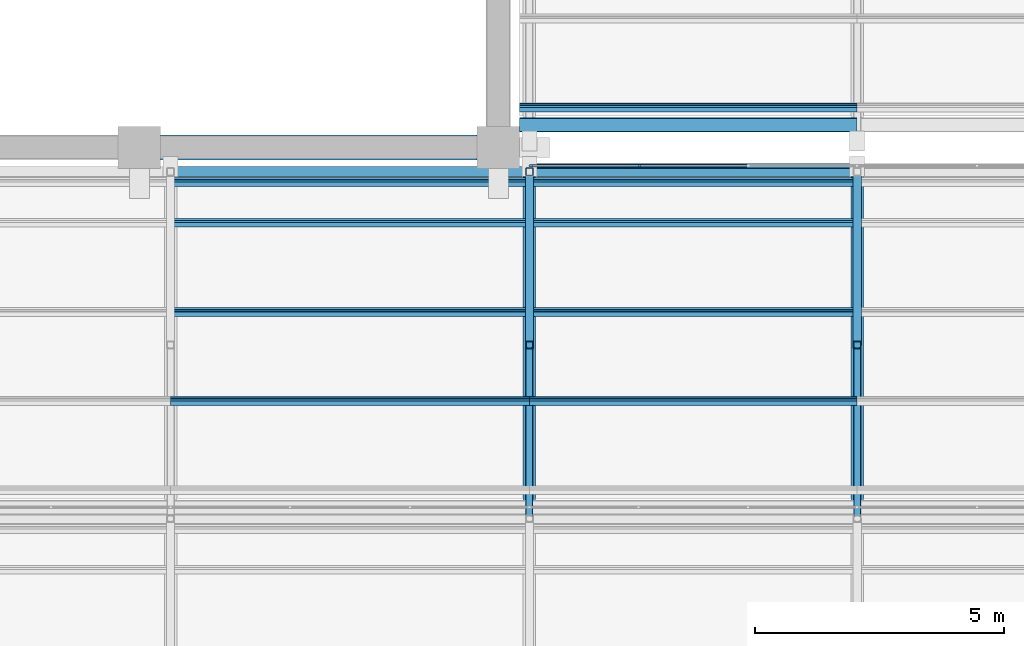
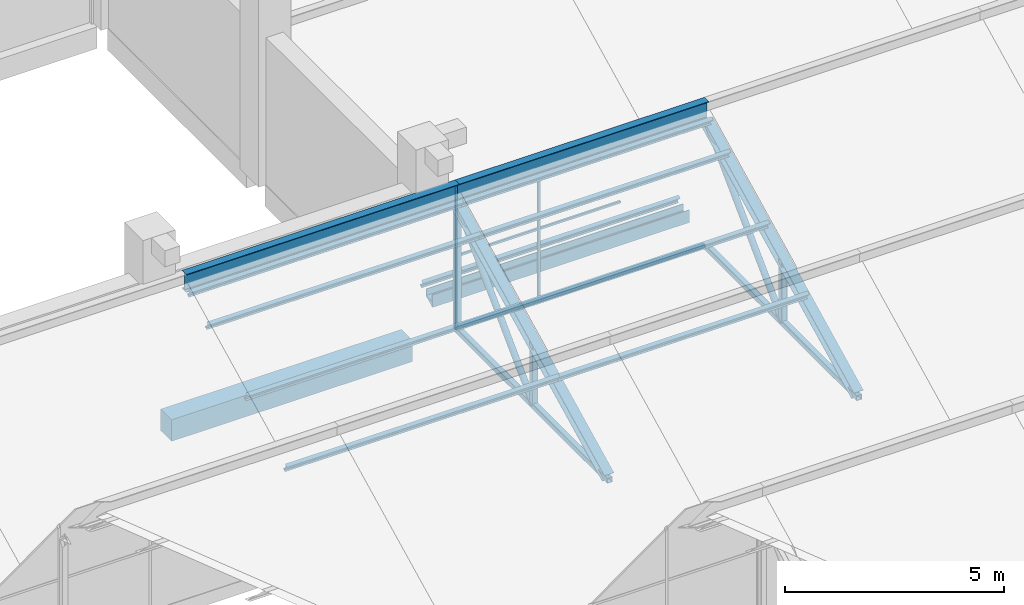
# One storey, part 16 of 83: 26 members, 1 beam, 1 element without a shape of its own.
"""IFC4 building model written with IfcOpenShell, lengths in metres."""

from ifc_helpers import new_model, si_unit, direction, frame, origin, origin_2d, place, context, subcontext, project, spatial, polyline, rectangle, hollow_rectangle, hollow_circle, i_section, outline, extrude, material, material_profile, profile_set, type_object, element, aggregate, save


model = new_model("IFC4")

# Units and contexts
model_context = context("Model", 3, precision=1e-05, world=origin(), true_north=direction((0.0, 1.0)))
body_context = subcontext(model_context, "Body", "Model", "MODEL_VIEW")
ifc_project = project(units=[si_unit("LENGTHUNIT", "METRE"), si_unit("AREAUNIT", "SQUARE_METRE"), si_unit("VOLUMEUNIT", "CUBIC_METRE"), si_unit("PLANEANGLEUNIT", "RADIAN"), si_unit("MASSUNIT", "GRAM", prefix="KILO")], contexts=[model_context])

# Site, building, storey
site_placement = place(None, origin())
site = spatial("IfcSite", under=ifc_project, at=site_placement, CompositionType="ELEMENT")
building_placement = place(site_placement, origin())
building = spatial("IfcBuilding", under=site, at=building_placement, Name="Silangan Lancet Faculty of Sciences", CompositionType="ELEMENT")
storey_placement = place(building_placement, frame((0.0, 0.0, 11.39990234375)))
storey = spatial("IfcBuildingStorey", under=building, at=storey_placement, Name="L02", CompositionType="ELEMENT", Elevation=11.39990234375)

# Beam
ifc_material_1 = material(Name="Concrete C40/50", Category="concrete")
ifc_material_profile_1 = material_profile(ifc_material_1, rectangle(XDim=0.5, YDim=0.60009765625, at=origin_2d()), Name="RC 500x600")
ifc_profile_set_1 = profile_set([ifc_material_profile_1], Name="Concrete C40/50")
beam_type = type_object("IfcBeamType", Name="BEAM RC 500x600", PredefinedType="BEAM", material=ifc_profile_set_1)
beam_placement = place(storey_placement, frame((43.625, 21.60009765625, -0.2998046875), z_axis=(1.0, 0.0, 0.0), x_axis=(0.0, 1.0, 0.0)))
element("IfcBeam", 1, at=beam_placement, inside=storey, type_object=beam_type, Name="BM-L02-7D-8D", PredefinedType="BEAM", context=body_context, shape_type="SweptSolid", body=[
    extrude(rectangle(XDim=0.5, YDim=0.60009765625, at=origin_2d()), origin(), (0.0, 0.0, 1.0), 6.35009765625),
])

# Members
ifc_material_2 = material(Name="Steel SS400", Category="steel")
ifc_material_profile_2 = material_profile(ifc_material_2, i_section(OverallWidth=0.199951171875, OverallDepth=0.5, WebThickness=0.010009765625, FlangeThickness=0.01611328125, FilletRadius=0.02001953125, at=origin_2d()), Name="H 500x200x10x16")
ifc_profile_set_2 = profile_set([ifc_material_profile_2], Name="Steel SS400")
member_type_1 = type_object("IfcMemberType", Name="Exposed ridge beam H 500x200x10x16", PredefinedType="MEMBER", material=ifc_profile_set_2)
member_1_placement = place(storey_placement, frame((43.824951171875, 21.114990234375, 3.9326171875), z_axis=(1.0, 0.0, 0.0), x_axis=(0.0, 1.0, 0.0)))
element("IfcMember", 2, at=member_1_placement, inside=storey, type_object=member_type_1, Name="Exposed ridge beam SAB-3-3", PredefinedType="MEMBER", context=body_context, shape_type="SweptSolid", body=[
    extrude(i_section(OverallWidth=0.199951171875, OverallDepth=0.5, WebThickness=0.010009765625, FlangeThickness=0.01611328125, FilletRadius=0.02001953125, at=origin_2d()), origin(), (0.0, 0.0, 1.0), 7.199951171875),
])
member_2_placement = place(storey_placement, frame((51.02490234375, 21.114990234375, 3.9326171875), z_axis=(1.0, 0.0, 0.0), x_axis=(0.0, 1.0, 0.0)))
element("IfcMember", 3, at=member_2_placement, inside=storey, type_object=member_type_1, Name="Exposed ridge beam SAB-3-4", PredefinedType="MEMBER", context=body_context, shape_type="SweptSolid", body=[
    extrude(i_section(OverallWidth=0.199951171875, OverallDepth=0.5, WebThickness=0.010009765625, FlangeThickness=0.01611328125, FilletRadius=0.02001953125, at=origin_2d()), origin(), (0.0, 0.0, 1.0), 6.5751953125),
])
ifc_material_3 = material(Name="Steel STKR400", Category="steel")
ifc_material_profile_3 = material_profile(ifc_material_3, hollow_rectangle(XDim=0.10009765625, YDim=0.10009765625, WallThickness=0.006103515625, InnerFilletRadius=0.006103515625, OuterFilletRadius=0.011962890625, at=origin_2d()), Name="SHS 100x100x6.0")
ifc_profile_set_3 = profile_set([ifc_material_profile_3], Name="Steel STKR400")
member_type_2 = type_object("IfcMemberType", Name="Light sill SHS 100x100x6.0", PredefinedType="MEMBER", material=ifc_profile_set_3)
member_3_placement = place(storey_placement, frame((51.02490234375, 21.22998046875, 0.050048828125), z_axis=(1.0, 0.0, 0.0), x_axis=(0.0, 1.0, 0.0)))
element("IfcMember", 4, at=member_3_placement, inside=storey, type_object=member_type_2, Name="North light sill SAB-3-4", PredefinedType="MEMBER", context=body_context, shape_type="SweptSolid", body=[
    extrude(hollow_rectangle(XDim=0.10009765625, YDim=0.10009765625, WallThickness=0.006103515625, InnerFilletRadius=0.006103515625, OuterFilletRadius=0.011962890625, at=origin_2d()), origin(), (0.0, 0.0, 1.0), 6.5751953125),
])

# Curtain wall, members
ifc_material_4 = material(Name="Aluminium and laminated glass", Category="aluminium")
curtain_wall_type = type_object("IfcCurtainWallType", Name="North light glazing system", PredefinedType="NOTDEFINED", material=ifc_material_4)
curtain_wall_placement = place(storey_placement, origin())
curtain_wall = element("IfcCurtainWall", 5, at=curtain_wall_placement, inside=storey, type_object=curtain_wall_type, Name="North light glazing SAB-3-4", PredefinedType="NOTDEFINED")
ifc_material_5 = material(Name="Aluminium 6063-T6", Category="aluminium")
ifc_material_profile_4 = material_profile(ifc_material_5, rectangle(XDim=0.06005859375, YDim=0.050048828125, at=origin_2d()), Name="AL 60x50")
ifc_profile_set_4 = profile_set([ifc_material_profile_4], Name="Aluminium 6063-T6")
member_type_3 = type_object("IfcMemberType", Name="North light mullion 60x50", PredefinedType="MULLION", material=ifc_profile_set_4)
member_4_placement = place(storey_placement, frame((51.054931640625, 21.22998046875, 0.10009765625), z_axis=(0.0, 0.0, 1.0), x_axis=(1.0, 0.0, 0.0)))
member_4 = element("IfcMember", 6, at=member_4_placement, type_object=member_type_3, Name="North light mullion SAB-3-4 1", PredefinedType="MULLION", context=body_context, shape_type="SweptSolid", body=[
    extrude(rectangle(XDim=0.06005859375, YDim=0.050048828125, at=origin_2d()), origin(), (0.0, 0.0, 1.0), 3.884033203125),
])
member_5_placement = place(storey_placement, frame((53.23681640625, 21.22998046875, 0.10009765625), z_axis=(0.0, 0.0, 1.0), x_axis=(1.0, 0.0, 0.0)))
member_5 = element("IfcMember", 7, at=member_5_placement, type_object=member_type_3, Name="North light mullion SAB-3-4 2", PredefinedType="MULLION", context=body_context, shape_type="SweptSolid", body=[
    extrude(rectangle(XDim=0.06005859375, YDim=0.050048828125, at=origin_2d()), origin(), (0.0, 0.0, 1.0), 3.884033203125),
])
ifc_material_6 = material(Name="Aluminium 6063-T6", Category="aluminium")
ifc_material_profile_5 = material_profile(ifc_material_6, rectangle(XDim=0.050048828125, YDim=0.06005859375, at=origin_2d()), Name="AL 50x60")
ifc_profile_set_5 = profile_set([ifc_material_profile_5], Name="Aluminium 6063-T6")
member_type_4 = type_object("IfcMemberType", Name="North light transom 50x60", PredefinedType="USERDEFINED", material=ifc_profile_set_5)
member_6_placement = place(storey_placement, frame((51.02490234375, 21.22998046875, 2.0419921875), z_axis=(1.0, 0.0, 0.0), x_axis=(0.0, 1.0, 0.0)))
member_6 = element("IfcMember", 8, at=member_6_placement, type_object=member_type_4, Name="North light transom SAB-3-4 1", ObjectType="TRANSOM", PredefinedType="USERDEFINED", context=body_context, shape_type="SweptSolid", body=[
    extrude(rectangle(XDim=0.050048828125, YDim=0.06005859375, at=origin_2d()), origin(), (0.0, 0.0, 1.0), 2.181884765625),
])
member_7_placement = place(storey_placement, frame((53.2666015625, 21.22998046875, 2.0419921875), z_axis=(1.0, 0.0, 0.0), x_axis=(0.0, 1.0, 0.0)))
member_7 = element("IfcMember", 9, at=member_7_placement, type_object=member_type_4, Name="North light transom SAB-3-4 2", ObjectType="TRANSOM", PredefinedType="USERDEFINED", context=body_context, shape_type="SweptSolid", body=[
    extrude(rectangle(XDim=0.050048828125, YDim=0.06005859375, at=origin_2d()), origin(), (0.0, 0.0, 1.0), 2.12158203125),
])
aggregate(curtain_wall, [member_4, member_5, member_6, member_7])

# Members
ifc_material_7 = material(Name="Steel SS400", Category="steel")
ifc_material_profile_6 = material_profile(ifc_material_7, i_section(OverallWidth=0.10009765625, OverallDepth=0.199951171875, WebThickness=0.005615234375, FlangeThickness=0.008056640625, FilletRadius=0.008056640625, at=origin_2d()), Name="H 200x100x5.5x8")
ifc_profile_set_6 = profile_set([ifc_material_profile_6], Name="Steel SS400")
member_type_5 = type_object("IfcMemberType", Name="Sheeting purlin H 200x100x5.5x8", PredefinedType="PURLIN", material=ifc_profile_set_6)
for number, where, z_axis, x_axis, name in (
    (10, (43.824951171875, 16.512451171875, 1.526123046875), (1.0, 0.0, 0.0), (0.0, 0.894427192382, 0.447213592736), "Sheeting purlin SAB-3-3 2"),
    (11, (43.824951171875, 18.30126953125, 2.420654296875), (1.0, 0.0, 0.0), (0.0, 0.894427192382, 0.447213592736), "Sheeting purlin SAB-3-3 3"),
    (12, (43.824951171875, 20.090087890625, 3.31494140625), (1.0, 0.0, 0.0), (0.0, 0.894427192382, 0.447213592736), "Sheeting purlin SAB-3-3 4"),
    (13, (43.824951171875, 20.906982421875, 3.723388671875), (1.0, 0.0, 0.0), (0.0, 0.894427192382, 0.447213592736), "Sheeting purlin SAB-3-3 5"),
):
    element("IfcMember", number, at=place(storey_placement, frame(where, z_axis=z_axis, x_axis=x_axis)), inside=storey, type_object=member_type_5, Name=name, PredefinedType="PURLIN", context=body_context, shape_type="SweptSolid", body=[
        extrude(i_section(OverallWidth=0.10009765625, OverallDepth=0.199951171875, WebThickness=0.005615234375, FlangeThickness=0.008056640625, FilletRadius=0.008056640625, at=origin_2d()), origin(), (0.0, 0.0, 1.0), 7.199951171875),
    ])
for number, where, z_axis, x_axis, name in (
    (14, (51.02490234375, 16.512451171875, 1.526123046875), (1.0, 0.0, 0.0), (0.0, 0.894427192382, 0.447213592736), "Sheeting purlin SAB-3-4 2"),
    (15, (51.02490234375, 18.30126953125, 2.420654296875), (1.0, 0.0, 0.0), (0.0, 0.894427192382, 0.447213592736), "Sheeting purlin SAB-3-4 3"),
    (16, (51.02490234375, 20.090087890625, 3.31494140625), (1.0, 0.0, 0.0), (0.0, 0.894427192382, 0.447213592736), "Sheeting purlin SAB-3-4 4"),
    (17, (51.02490234375, 20.906982421875, 3.723388671875), (1.0, 0.0, 0.0), (0.0, 0.894427192382, 0.447213592736), "Sheeting purlin SAB-3-4 5"),
):
    element("IfcMember", number, at=place(storey_placement, frame(where, z_axis=z_axis, x_axis=x_axis)), inside=storey, type_object=member_type_5, Name=name, PredefinedType="PURLIN", context=body_context, shape_type="SweptSolid", body=[
        extrude(i_section(OverallWidth=0.10009765625, OverallDepth=0.199951171875, WebThickness=0.005615234375, FlangeThickness=0.008056640625, FilletRadius=0.008056640625, at=origin_2d()), origin(), (0.0, 0.0, 1.0), 6.5751953125),
    ])
member_8_placement = place(storey_placement, frame((50.824951171875, 22.400146484375, 0.6318359375), z_axis=(1.0, 0.0, 0.0), x_axis=(0.0, 0.894427192382, 0.447213592736)))
element("IfcMember", 18, at=member_8_placement, inside=storey, type_object=member_type_5, Name="Sheeting purlin AUD-1-1 1", PredefinedType="PURLIN", context=body_context, shape_type="SweptSolid", body=[
    extrude(i_section(OverallWidth=0.10009765625, OverallDepth=0.199951171875, WebThickness=0.005615234375, FlangeThickness=0.008056640625, FilletRadius=0.008056640625, at=origin_2d()), origin(), (0.0, 0.0, 1.0), 6.775146484375),
])
ifc_material_8 = material(Name="Steel STKR400", Category="steel")
ifc_material_profile_7 = material_profile(ifc_material_8, hollow_rectangle(XDim=0.14990234375, YDim=0.14990234375, WallThickness=0.009033203125, InnerFilletRadius=0.009033203125, OuterFilletRadius=0.01806640625, at=origin_2d()), Name="SHS 150x150x9.0")
ifc_profile_set_7 = profile_set([ifc_material_profile_7], Name="Steel STKR400")
member_type_6 = type_object("IfcMemberType", Name="Truss bottom chord SHS 150x150x9.0", PredefinedType="CHORD", material=ifc_profile_set_7)
for number, where, z_axis, x_axis, name in (
    (19, (51.02490234375, 14.1533203125, 0.09521484375), (0.0, 1.0, 0.0), (-1.0, 0.0, 0.0), "Truss 4 bottom chord 3"),
    (20, (57.60009765625, 14.1533203125, 0.09521484375), (0.0, 1.0, 0.0), (-1.0, 0.0, 0.0), "Truss 5 bottom chord 3"),
):
    element("IfcMember", number, at=place(storey_placement, frame(where, z_axis=z_axis, x_axis=x_axis)), inside=storey, type_object=member_type_6, Name=name, PredefinedType="CHORD", context=body_context, shape_type="SweptSolid", body=[
        extrude(hollow_rectangle(XDim=0.14990234375, YDim=0.14990234375, WallThickness=0.009033203125, InnerFilletRadius=0.009033203125, OuterFilletRadius=0.01806640625, at=origin_2d()), origin(), (0.0, 0.0, 1.0), 6.961669921875),
    ])
ifc_material_9 = material(Name="Steel STK400", Category="steel")
ifc_material_profile_8 = material_profile(ifc_material_9, hollow_circle(Radius=0.08251953125, WallThickness=0.0048828125, at=origin_2d()), Name="CHS 165.2x5.0")
ifc_profile_set_8 = profile_set([ifc_material_profile_8], Name="Steel STK400")
member_type_7 = type_object("IfcMemberType", Name="Truss diagonal CHS 165.2x5.0", PredefinedType="BRACE", material=ifc_profile_set_8)
for number, where, z_axis, x_axis, name in (
    (21, (51.02490234375, 17.63427734375, 0.09521484375), (0.0, 0.707106781187, 0.707106781187), (-1.0, 0.0, 0.0), "Truss 4 diagonal 3"),
    (22, (57.60009765625, 17.63427734375, 0.09521484375), (0.0, 0.707106781187, 0.707106781187), (-1.0, 0.0, 0.0), "Truss 5 diagonal 3"),
):
    element("IfcMember", number, at=place(storey_placement, frame(where, z_axis=z_axis, x_axis=x_axis)), inside=storey, type_object=member_type_7, Name=name, PredefinedType="BRACE", context=body_context, shape_type="SweptSolid", body=[
        extrude(hollow_circle(Radius=0.08251953125, WallThickness=0.0048828125, at=origin_2d()), origin(), (0.0, 0.0, 1.0), 4.92236328125),
    ])
ifc_material_10 = material(Name="Steel STKR400", Category="steel")
ifc_material_profile_9 = material_profile(ifc_material_10, hollow_rectangle(XDim=0.14990234375, YDim=0.14990234375, WallThickness=0.006103515625, InnerFilletRadius=0.006103515625, OuterFilletRadius=0.011962890625, at=origin_2d()), Name="SHS 150x150x6.0")
ifc_profile_set_9 = profile_set([ifc_material_profile_9], Name="Steel STKR400")
member_type_8 = type_object("IfcMemberType", Name="Truss post SHS 150x150x6.0", PredefinedType="POST", material=ifc_profile_set_9)
member_9_placement = place(storey_placement, frame((51.02490234375, 21.114990234375, 0.09521484375), z_axis=(0.0, 0.0, 1.0), x_axis=(1.0, 0.0, 0.0)))
element("IfcMember", 23, at=member_9_placement, inside=storey, type_object=member_type_8, Name="Truss 4 riser post 3", PredefinedType="POST", context=body_context, shape_type="SweptSolid", body=[
    extrude(hollow_rectangle(XDim=0.14990234375, YDim=0.14990234375, WallThickness=0.006103515625, InnerFilletRadius=0.006103515625, OuterFilletRadius=0.011962890625, at=origin_2d()), origin(), (0.0, 0.0, 1.0), 3.480712890625),
])
for number, where, z_axis, x_axis, name in (
    (24, (51.02490234375, 17.63427734375, 0.09521484375), (0.0, 0.0, 1.0), (1.0, 0.0, 0.0), "Truss 4 mid post 3"),
    (25, (57.60009765625, 17.63427734375, 0.09521484375), (0.0, 0.0, 1.0), (1.0, 0.0, 0.0), "Truss 5 mid post 3"),
):
    element("IfcMember", number, at=place(storey_placement, frame(where, z_axis=z_axis, x_axis=x_axis)), inside=storey, type_object=member_type_8, Name=name, PredefinedType="POST", context=body_context, shape_type="SweptSolid", body=[
        extrude(hollow_rectangle(XDim=0.14990234375, YDim=0.14990234375, WallThickness=0.006103515625, InnerFilletRadius=0.006103515625, OuterFilletRadius=0.011962890625, at=origin_2d()), origin(), (0.0, 0.0, 1.0), 1.740234375),
    ])
ifc_material_11 = material(Name="Steel SS400", Category="steel")
ifc_material_profile_10 = material_profile(ifc_material_11, i_section(OverallWidth=0.25, OverallDepth=0.25, WebThickness=0.009033203125, FlangeThickness=0.013916015625, FilletRadius=0.01611328125, at=origin_2d()), Name="H 250x250x9x14")
ifc_profile_set_10 = profile_set([ifc_material_profile_10], Name="Steel SS400")
member_type_9 = type_object("IfcMemberType", Name="Truss top chord H 250x250x9x14", PredefinedType="CHORD", material=ifc_profile_set_10)
for number, where, z_axis, x_axis, name in (
    (26, (51.02490234375, 14.23388671875, 0.13525390625), (0.0, 0.894420844124, 0.447226289027), (-1.0, 0.0, 0.0), "Truss 4 top chord 3"),
    (27, (57.60009765625, 14.23388671875, 0.13525390625), (0.0, 0.894420844124, 0.447226289027), (-1.0, 0.0, 0.0), "Truss 5 top chord 3"),
):
    element("IfcMember", number, at=place(storey_placement, frame(where, z_axis=z_axis, x_axis=x_axis)), inside=storey, type_object=member_type_9, Name=name, PredefinedType="CHORD", context=body_context, shape_type="SweptSolid", body=[
        extrude(i_section(OverallWidth=0.25, OverallDepth=0.25, WebThickness=0.009033203125, FlangeThickness=0.013916015625, FilletRadius=0.01611328125, at=origin_2d()), origin(), (0.0, 0.0, 1.0), 7.693359375),
    ])
ifc_material_12 = material(Name="Stainless steel", Category="steel")
ifc_material_profile_11 = material_profile(ifc_material_12, outline(polyline([(-0.14990234375, 0.0), (0.14990234375, 0.14990234375), (0.14990234375, 0.35009765625), (0.1298828125, 0.35009765625), (0.1298828125, 0.169921875), (-0.1298828125, 0.169921875), (-0.1298828125, 0.35009765625), (-0.14990234375, 0.35009765625), (-0.14990234375, 0.0)])), Name="valley gutter")
ifc_profile_set_11 = profile_set([ifc_material_profile_11], Name="Stainless steel")
member_type_10 = type_object("IfcMemberType", Name="Valley gutter 300 wide", PredefinedType="USERDEFINED", material=ifc_profile_set_11)
member_10_placement = place(storey_placement, frame((50.824951171875, 22.054931640625, 0.2724609375), z_axis=(1.0, 0.0, 0.0), x_axis=(0.0, 1.0, 0.0)))
element("IfcMember", 28, at=member_10_placement, inside=storey, type_object=member_type_10, Name="Valley gutter AUD-1-1", ObjectType="GUTTER", PredefinedType="USERDEFINED", context=body_context, shape_type="SweptSolid", body=[
    extrude(outline(polyline([(-0.14990234375, 0.0), (0.14990234375, 0.14990234375), (0.14990234375, 0.35009765625), (0.1298828125, 0.35009765625), (0.1298828125, 0.169921875), (-0.1298828125, 0.169921875), (-0.1298828125, 0.35009765625), (-0.14990234375, 0.35009765625), (-0.14990234375, 0.0)])), origin(), (0.0, 0.0, 1.0), 6.775146484375),
])

save(model, "model.ifc")
